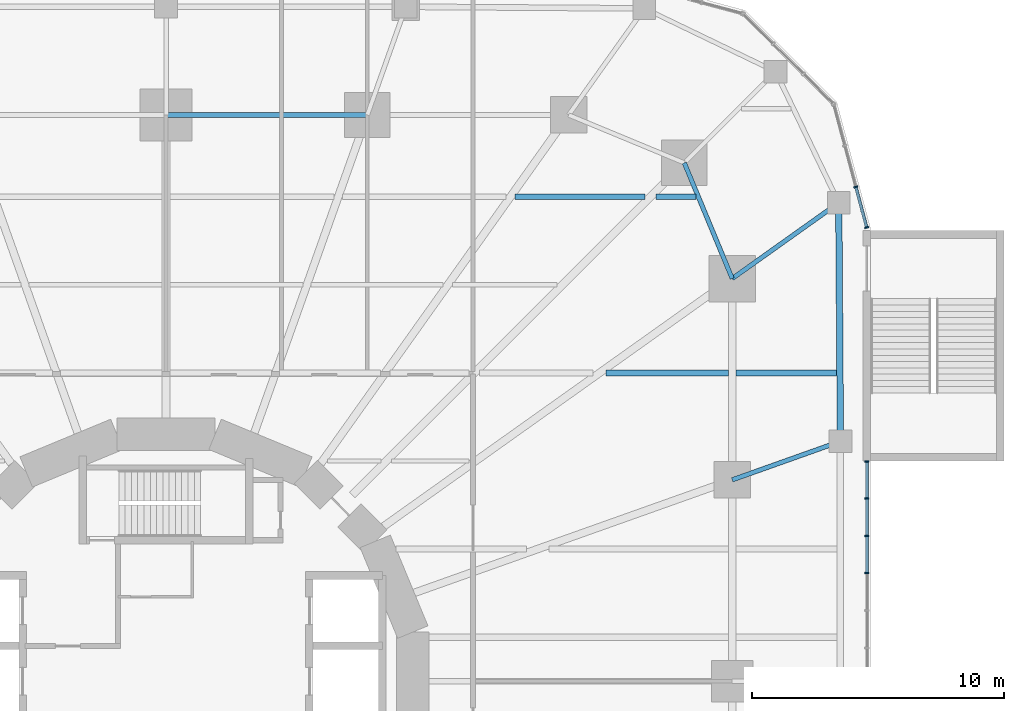
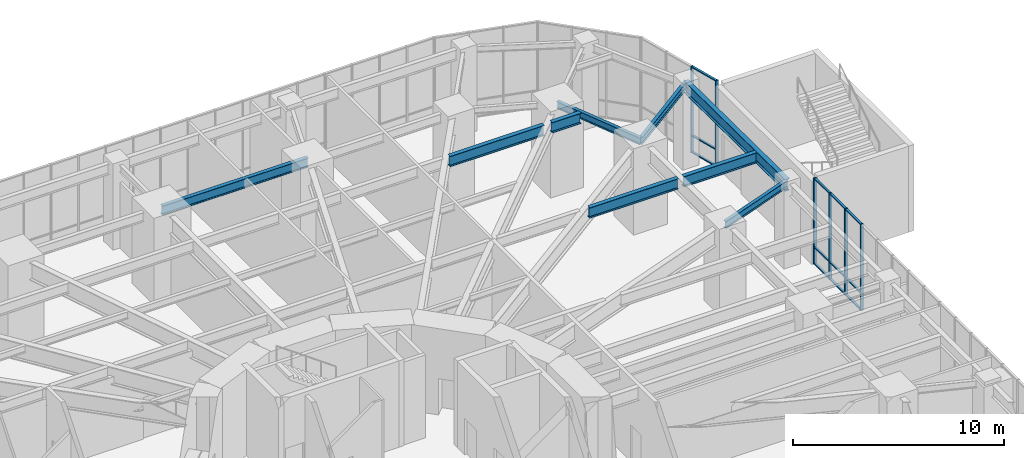
# One storey, part 13 of 24: 18 members, 9 beams, 2 elements without a shape of their own.
"""IFC4 building model written with IfcOpenShell, lengths in metres."""

from ifc_helpers import new_model, si_unit, direction, frame, origin, origin_2d, place, context, subcontext, project, spatial, rectangle, i_section, extrude, material, material_profile, profile_set, type_object, element, aggregate, save


model = new_model("IFC4")

# Units and contexts
model_context = context("Model", 3, precision=1e-05, world=origin(), true_north=direction((0.0, 1.0)))
body_context = subcontext(model_context, "Body", "Model", "MODEL_VIEW")
ifc_project = project(units=[si_unit("LENGTHUNIT", "METRE"), si_unit("AREAUNIT", "SQUARE_METRE"), si_unit("VOLUMEUNIT", "CUBIC_METRE"), si_unit("PLANEANGLEUNIT", "RADIAN"), si_unit("MASSUNIT", "GRAM", prefix="KILO")], contexts=[model_context])

# Site, building, storey
site_placement = place(None, origin())
site = spatial("IfcSite", under=ifc_project, at=site_placement, CompositionType="ELEMENT")
building_placement = place(site_placement, origin())
building = spatial("IfcBuilding", under=site, at=building_placement, Name="Nakasero Lantern House", CompositionType="ELEMENT")
storey_placement = place(building_placement, frame((0.0, 0.0, 6.0)))
storey = spatial("IfcBuildingStorey", under=building, at=storey_placement, Name="L01", CompositionType="ELEMENT", Elevation=6.0)

# Beams
ifc_material_1 = material(Name="Steel S355", Category="steel")
ifc_material_profile_1 = material_profile(ifc_material_1, i_section(OverallWidth=0.22900390625, OverallDepth=0.6123046875, WebThickness=0.011962890625, FlangeThickness=0.01953125, FilletRadius=0.0126953125, at=origin_2d()), Name="UB 610x229x125")
ifc_profile_set_1 = profile_set([ifc_material_profile_1], Name="Steel S355")
beam_type_1 = type_object("IfcBeamType", Name="Infill beam UB 610x229x125", PredefinedType="JOIST", material=ifc_profile_set_1)
beam_1_placement = place(storey_placement, frame((17.488037109375, 12.25, 4.493896484375), z_axis=(1.0, 0.0, 0.0), x_axis=(0.0, 1.0, 0.0)))
element("IfcBeam", 1, at=beam_1_placement, inside=storey, type_object=beam_type_1, Name="Infill beam L02 12.11", PredefinedType="JOIST", context=body_context, shape_type="SweptSolid", body=[
    extrude(i_section(OverallWidth=0.22900390625, OverallDepth=0.6123046875, WebThickness=0.011962890625, FlangeThickness=0.01953125, FilletRadius=0.0126953125, at=origin_2d()), origin(), (0.0, 0.0, 1.0), 4.862060546875),
])
beam_2_placement = place(storey_placement, frame((22.64990234375, 12.25, 4.493896484375), z_axis=(1.0, 0.0, 0.0), x_axis=(0.0, 1.0, 0.0)))
element("IfcBeam", 2, at=beam_2_placement, inside=storey, type_object=beam_type_1, Name="Infill beam L02 12.12", PredefinedType="JOIST", context=body_context, shape_type="SweptSolid", body=[
    extrude(i_section(OverallWidth=0.22900390625, OverallDepth=0.6123046875, WebThickness=0.011962890625, FlangeThickness=0.01953125, FilletRadius=0.0126953125, at=origin_2d()), origin(), (0.0, 0.0, 1.0), 4.003173828125),
])
beam_3_placement = place(storey_placement, frame((13.876220703125, 19.25, 4.493896484375), z_axis=(1.0, 0.0, 0.0), x_axis=(0.0, 1.0, 0.0)))
element("IfcBeam", 3, at=beam_3_placement, inside=storey, type_object=beam_type_1, Name="Infill beam L02 14.7", PredefinedType="JOIST", context=body_context, shape_type="SweptSolid", body=[
    extrude(i_section(OverallWidth=0.22900390625, OverallDepth=0.6123046875, WebThickness=0.011962890625, FlangeThickness=0.01953125, FilletRadius=0.0126953125, at=origin_2d()), origin(), (0.0, 0.0, 1.0), 5.15771484375),
])
beam_4_placement = place(storey_placement, frame((19.466064453125, 19.25, 4.493896484375), z_axis=(1.0, 0.0, 0.0), x_axis=(0.0, 1.0, 0.0)))
element("IfcBeam", 4, at=beam_4_placement, inside=storey, type_object=beam_type_1, Name="Infill beam L02 14.8", PredefinedType="JOIST", context=body_context, shape_type="SweptSolid", body=[
    extrude(i_section(OverallWidth=0.22900390625, OverallDepth=0.6123046875, WebThickness=0.011962890625, FlangeThickness=0.01953125, FilletRadius=0.0126953125, at=origin_2d()), origin(), (0.0, 0.0, 1.0), 1.591552734375),
])

# Curtain wall, members
ifc_material_2 = material(Name="Aluminium 6063-T6 and glass", Category="aluminium")
curtain_wall_type = type_object("IfcCurtainWallType", Name="Podium curtain wall CW-2", PredefinedType="USERDEFINED", material=ifc_material_2)
curtain_wall_1_placement = place(storey_placement, origin())
curtain_wall_1 = element("IfcCurtainWall", 5, at=curtain_wall_1_placement, inside=storey, type_object=curtain_wall_type, Name="Curtain wall CW-2 L01", ObjectType="STICK CURTAIN WALL", PredefinedType="USERDEFINED")
ifc_material_3 = material(Name="Aluminium 6063-T6", Category="aluminium")
ifc_material_profile_2 = material_profile(ifc_material_3, rectangle(XDim=0.06005859375, YDim=0.159912109375, at=origin_2d()), Name="CW-2 mullion 60x160")
ifc_profile_set_2 = profile_set([ifc_material_profile_2], Name="Aluminium 6063-T6")
member_type_1 = type_object("IfcMemberType", Name="Mullion CW-2", PredefinedType="MULLION", material=ifc_profile_set_2)
member_1_placement = place(storey_placement, frame((27.85009765625, 4.291748046875, 0.0), z_axis=(0.0, 0.0, 1.0), x_axis=(0.0, 1.0, 0.0)))
member_1 = element("IfcMember", 6, at=member_1_placement, type_object=member_type_1, Name="CW-2 mullion 16", PredefinedType="MULLION", context=body_context, shape_type="SweptSolid", body=[
    extrude(rectangle(XDim=0.06005859375, YDim=0.159912109375, at=origin_2d()), origin(), (0.0, 0.0, 1.0), 5.0),
])
member_2_placement = place(storey_placement, frame((27.85009765625, 5.77783203125, 0.0), z_axis=(0.0, 0.0, 1.0), x_axis=(0.0, 1.0, 0.0)))
member_2 = element("IfcMember", 7, at=member_2_placement, type_object=member_type_1, Name="CW-2 mullion 17", PredefinedType="MULLION", context=body_context, shape_type="SweptSolid", body=[
    extrude(rectangle(XDim=0.06005859375, YDim=0.159912109375, at=origin_2d()), origin(), (0.0, 0.0, 1.0), 5.0),
])
member_3_placement = place(storey_placement, frame((27.85009765625, 7.263916015625, 0.0), z_axis=(0.0, 0.0, 1.0), x_axis=(0.0, 1.0, 0.0)))
member_3 = element("IfcMember", 8, at=member_3_placement, type_object=member_type_1, Name="CW-2 mullion 18", PredefinedType="MULLION", context=body_context, shape_type="SweptSolid", body=[
    extrude(rectangle(XDim=0.06005859375, YDim=0.159912109375, at=origin_2d()), origin(), (0.0, 0.0, 1.0), 5.0),
])
member_4_placement = place(storey_placement, frame((27.85009765625, 8.719970703125, 0.0), z_axis=(0.0, 0.0, 1.0), x_axis=(0.0, 1.0, 0.0)))
member_4 = element("IfcMember", 9, at=member_4_placement, type_object=member_type_1, Name="CW-2 mullion 19", PredefinedType="MULLION", context=body_context, shape_type="SweptSolid", body=[
    extrude(rectangle(XDim=0.06005859375, YDim=0.159912109375, at=origin_2d()), origin(), (0.0, 0.0, 1.0), 5.0),
])

curtain_wall_2_placement = place(storey_placement, origin())
curtain_wall_2 = element("IfcCurtainWall", 10, at=curtain_wall_2_placement, inside=storey, type_object=curtain_wall_type, Name="Curtain wall CW-2 L01", ObjectType="STICK CURTAIN WALL", PredefinedType="USERDEFINED")
member_5_placement = place(storey_placement, frame((27.84228515625, 18.029052734375, 0.0), z_axis=(0.0, 0.0, 1.0), x_axis=(-0.258819045103, 0.965925826289, 0.0)))
member_5 = element("IfcMember", 11, at=member_5_placement, type_object=member_type_1, Name="CW-2 mullion 1", PredefinedType="MULLION", context=body_context, shape_type="SweptSolid", body=[
    extrude(rectangle(XDim=0.06005859375, YDim=0.159912109375, at=origin_2d()), origin(), (0.0, 0.0, 1.0), 5.0),
])
member_6_placement = place(storey_placement, frame((27.41015625, 19.6416015625, 0.0), z_axis=(0.0, 0.0, 1.0), x_axis=(-0.258819045103, 0.965925826289, 0.0)))
member_6 = element("IfcMember", 12, at=member_6_placement, type_object=member_type_1, Name="CW-2 mullion 2", PredefinedType="MULLION", context=body_context, shape_type="SweptSolid", body=[
    extrude(rectangle(XDim=0.06005859375, YDim=0.159912109375, at=origin_2d()), origin(), (0.0, 0.0, 1.0), 5.0),
])

# Beams
ifc_material_4 = material(Name="Steel S355", Category="steel")
ifc_material_profile_3 = material_profile(ifc_material_4, i_section(OverallWidth=0.179443359375, OverallDepth=0.412841796875, WebThickness=0.009521484375, FlangeThickness=0.01611328125, FilletRadius=0.01025390625, at=origin_2d()), Name="UB 406x178x74")
ifc_profile_set_3 = profile_set([ifc_material_profile_3], Name="Steel S355")
beam_type_2 = type_object("IfcBeamType", Name="Primary beam UB 406x178x74, span to 6 m", PredefinedType="BEAM", material=ifc_profile_set_3)
beam_5_placement = place(storey_placement, frame((26.800048828125, 9.52880859375, 4.593505859375), z_axis=(-0.942221444489, -0.334990670833, 0.0), x_axis=(0.334990670833, -0.942221444489, 0.0)))
element("IfcBeam", 13, at=beam_5_placement, inside=storey, type_object=beam_type_2, Name="Primary beam L02 POD-C04", PredefinedType="BEAM", context=body_context, shape_type="SweptSolid", body=[
    extrude(i_section(OverallWidth=0.179443359375, OverallDepth=0.412841796875, WebThickness=0.009521484375, FlangeThickness=0.01611328125, FilletRadius=0.01025390625, at=origin_2d()), origin(), (0.0, 0.0, 1.0), 4.563720703125),
])
beam_6_placement = place(storey_placement, frame((26.733642578125, 19.0107421875, 4.593505859375), z_axis=(-0.814941514044, -0.57954320692, 0.0), x_axis=(0.57954320692, -0.814941514044, 0.0)))
element("IfcBeam", 14, at=beam_6_placement, inside=storey, type_object=beam_type_2, Name="Primary beam L02 POD-C05", PredefinedType="BEAM", context=body_context, shape_type="SweptSolid", body=[
    extrude(i_section(OverallWidth=0.179443359375, OverallDepth=0.412841796875, WebThickness=0.009521484375, FlangeThickness=0.01611328125, FilletRadius=0.01025390625, at=origin_2d()), origin(), (0.0, 0.0, 1.0), 5.195068359375),
])
ifc_material_5 = material(Name="Steel S355", Category="steel")
ifc_material_profile_4 = material_profile(ifc_material_5, i_section(OverallWidth=0.177978515625, OverallDepth=0.406494140625, WebThickness=0.0078125, FlangeThickness=0.0126953125, FilletRadius=0.01025390625, at=origin_2d()), Name="UB 406x178x60")
ifc_profile_set_4 = profile_set([ifc_material_profile_4], Name="Steel S355")
beam_type_3 = type_object("IfcBeamType", Name="Ring beam UB 406x178x60", PredefinedType="BEAM", material=ifc_profile_set_4)
beam_7_placement = place(storey_placement, frame((22.5, 16.0, 4.5966796875), z_axis=(-0.382684080569, 0.923879264016, 0.0), x_axis=(-0.923879264016, -0.382684080569, 0.0)))
element("IfcBeam", 15, at=beam_7_placement, inside=storey, type_object=beam_type_3, Name="Ring beam L02 B1-C05", PredefinedType="BEAM", context=body_context, shape_type="SweptSolid", body=[
    extrude(i_section(OverallWidth=0.177978515625, OverallDepth=0.406494140625, WebThickness=0.0078125, FlangeThickness=0.0126953125, FilletRadius=0.01025390625, at=origin_2d()), origin(), (0.0, 0.0, 1.0), 4.974853515625),
])
ifc_material_6 = material(Name="Steel S355", Category="steel")
ifc_material_profile_5 = material_profile(ifc_material_6, i_section(OverallWidth=0.2099609375, OverallDepth=0.53662109375, WebThickness=0.0107421875, FlangeThickness=0.017333984375, FilletRadius=0.0126953125, at=origin_2d()), Name="UB 533x210x101")
ifc_profile_set_5 = profile_set([ifc_material_profile_5], Name="Steel S355")
beam_type_4 = type_object("IfcBeamType", Name="Ring beam UB 533x210x101", PredefinedType="BEAM", material=ifc_profile_set_5)
beam_8_placement = place(storey_placement, frame((8.0, 22.5, 4.53173828125), z_axis=(-1.0, 0.0, 0.0), x_axis=(0.0, -1.0, 0.0)))
element("IfcBeam", 16, at=beam_8_placement, inside=storey, type_object=beam_type_4, Name="Ring beam L02 B1-C08", PredefinedType="BEAM", context=body_context, shape_type="SweptSolid", body=[
    extrude(i_section(OverallWidth=0.2099609375, OverallDepth=0.53662109375, WebThickness=0.0107421875, FlangeThickness=0.017333984375, FilletRadius=0.0126953125, at=origin_2d()), origin(), (0.0, 0.0, 1.0), 8.0),
])
ifc_material_7 = material(Name="Steel S355", Category="steel")
ifc_material_profile_6 = material_profile(ifc_material_7, i_section(OverallWidth=0.255859375, OverallDepth=0.69287109375, WebThickness=0.014404296875, FlangeThickness=0.023681640625, FilletRadius=0.01513671875, at=origin_2d()), Name="UB 686x254x170")
ifc_profile_set_6 = profile_set([ifc_material_profile_6], Name="Steel S355")
beam_type_5 = type_object("IfcBeamType", Name="Ring beam UB 686x254x170", PredefinedType="BEAM", material=ifc_profile_set_6)
beam_9_placement = place(storey_placement, frame((26.800048828125, 9.52880859375, 4.45361328125), z_axis=(-0.007003278482, 0.999975476745, 0.0), x_axis=(-0.999975476745, -0.007003278482, 0.0)))
element("IfcBeam", 17, at=beam_9_placement, inside=storey, type_object=beam_type_5, Name="Ring beam L02 POD-C04", PredefinedType="BEAM", context=body_context, shape_type="SweptSolid", body=[
    extrude(i_section(OverallWidth=0.255859375, OverallDepth=0.69287109375, WebThickness=0.014404296875, FlangeThickness=0.023681640625, FilletRadius=0.01513671875, at=origin_2d()), origin(), (0.0, 0.0, 1.0), 9.482177734375),
])

# Member
ifc_material_8 = material(Name="Aluminium 6063-T6", Category="aluminium")
ifc_material_profile_7 = material_profile(ifc_material_8, rectangle(XDim=0.06005859375, YDim=0.1201171875, at=origin_2d()), Name="CW-2 transom 60x120")
ifc_profile_set_7 = profile_set([ifc_material_profile_7], Name="Aluminium 6063-T6")
member_type_2 = type_object("IfcMemberType", Name="Transom CW-2", PredefinedType="USERDEFINED", material=ifc_profile_set_7)
member_7_placement = place(storey_placement, frame((27.85009765625, 4.32177734375, 0.030029296875), z_axis=(0.0, 1.0, 0.0), x_axis=(0.0, 0.0, 1.0)))
member_7 = element("IfcMember", 18, at=member_7_placement, type_object=member_type_2, Name="CW-2 transom 16.1", ObjectType="TRANSOM", PredefinedType="USERDEFINED", context=body_context, shape_type="SweptSolid", body=[
    extrude(rectangle(XDim=0.06005859375, YDim=0.1201171875, at=origin_2d()), origin(), (0.0, 0.0, 1.0), 1.426025390625),
])

member_8_placement = place(storey_placement, frame((27.85009765625, 4.32177734375, 1.0), z_axis=(0.0, 1.0, 0.0), x_axis=(0.0, 0.0, 1.0)))
member_8 = element("IfcMember", 19, at=member_8_placement, type_object=member_type_2, Name="CW-2 transom 16.2", ObjectType="TRANSOM", PredefinedType="USERDEFINED", context=body_context, shape_type="SweptSolid", body=[
    extrude(rectangle(XDim=0.06005859375, YDim=0.1201171875, at=origin_2d()), origin(), (0.0, 0.0, 1.0), 1.426025390625),
])

member_9_placement = place(storey_placement, frame((27.85009765625, 4.32177734375, 4.969970703125), z_axis=(0.0, 1.0, 0.0), x_axis=(0.0, 0.0, 1.0)))
member_9 = element("IfcMember", 20, at=member_9_placement, type_object=member_type_2, Name="CW-2 transom 16.3", ObjectType="TRANSOM", PredefinedType="USERDEFINED", context=body_context, shape_type="SweptSolid", body=[
    extrude(rectangle(XDim=0.06005859375, YDim=0.1201171875, at=origin_2d()), origin(), (0.0, 0.0, 1.0), 1.426025390625),
])

member_10_placement = place(storey_placement, frame((27.85009765625, 5.807861328125, 0.030029296875), z_axis=(0.0, 1.0, 0.0), x_axis=(0.0, 0.0, 1.0)))
member_10 = element("IfcMember", 21, at=member_10_placement, type_object=member_type_2, Name="CW-2 transom 17.1", ObjectType="TRANSOM", PredefinedType="USERDEFINED", context=body_context, shape_type="SweptSolid", body=[
    extrude(rectangle(XDim=0.06005859375, YDim=0.1201171875, at=origin_2d()), origin(), (0.0, 0.0, 1.0), 1.426025390625),
])

member_11_placement = place(storey_placement, frame((27.85009765625, 5.807861328125, 1.0), z_axis=(0.0, 1.0, 0.0), x_axis=(0.0, 0.0, 1.0)))
member_11 = element("IfcMember", 22, at=member_11_placement, type_object=member_type_2, Name="CW-2 transom 17.2", ObjectType="TRANSOM", PredefinedType="USERDEFINED", context=body_context, shape_type="SweptSolid", body=[
    extrude(rectangle(XDim=0.06005859375, YDim=0.1201171875, at=origin_2d()), origin(), (0.0, 0.0, 1.0), 1.426025390625),
])

member_12_placement = place(storey_placement, frame((27.85009765625, 5.807861328125, 4.969970703125), z_axis=(0.0, 1.0, 0.0), x_axis=(0.0, 0.0, 1.0)))
member_12 = element("IfcMember", 23, at=member_12_placement, type_object=member_type_2, Name="CW-2 transom 17.3", ObjectType="TRANSOM", PredefinedType="USERDEFINED", context=body_context, shape_type="SweptSolid", body=[
    extrude(rectangle(XDim=0.06005859375, YDim=0.1201171875, at=origin_2d()), origin(), (0.0, 0.0, 1.0), 1.426025390625),
])

member_13_placement = place(storey_placement, frame((27.85009765625, 7.2939453125, 0.030029296875), z_axis=(0.0, 1.0, 0.0), x_axis=(0.0, 0.0, 1.0)))
member_13 = element("IfcMember", 24, at=member_13_placement, type_object=member_type_2, Name="CW-2 transom 18.1", ObjectType="TRANSOM", PredefinedType="USERDEFINED", context=body_context, shape_type="SweptSolid", body=[
    extrude(rectangle(XDim=0.06005859375, YDim=0.1201171875, at=origin_2d()), origin(), (0.0, 0.0, 1.0), 1.39599609375),
])

member_14_placement = place(storey_placement, frame((27.85009765625, 7.2939453125, 1.0), z_axis=(0.0, 1.0, 0.0), x_axis=(0.0, 0.0, 1.0)))
member_14 = element("IfcMember", 25, at=member_14_placement, type_object=member_type_2, Name="CW-2 transom 18.2", ObjectType="TRANSOM", PredefinedType="USERDEFINED", context=body_context, shape_type="SweptSolid", body=[
    extrude(rectangle(XDim=0.06005859375, YDim=0.1201171875, at=origin_2d()), origin(), (0.0, 0.0, 1.0), 1.39599609375),
])

member_15_placement = place(storey_placement, frame((27.85009765625, 7.2939453125, 4.969970703125), z_axis=(0.0, 1.0, 0.0), x_axis=(0.0, 0.0, 1.0)))
member_15 = element("IfcMember", 26, at=member_15_placement, type_object=member_type_2, Name="CW-2 transom 18.3", ObjectType="TRANSOM", PredefinedType="USERDEFINED", context=body_context, shape_type="SweptSolid", body=[
    extrude(rectangle(XDim=0.06005859375, YDim=0.1201171875, at=origin_2d()), origin(), (0.0, 0.0, 1.0), 1.39599609375),
])

aggregate(curtain_wall_1, [member_1, member_2, member_3, member_4, member_7, member_8, member_9, member_10, member_11, member_12, member_13, member_14, member_15])

member_16_placement = place(storey_placement, frame((27.83447265625, 18.057861328125, 0.030029296875), z_axis=(-0.258738612203, 0.96594737463, 0.0), x_axis=(0.0, 0.0, 1.0)))
member_16 = element("IfcMember", 27, at=member_16_placement, type_object=member_type_2, Name="CW-2 transom 1.1", ObjectType="TRANSOM", PredefinedType="USERDEFINED", context=body_context, shape_type="SweptSolid", body=[
    extrude(rectangle(XDim=0.06005859375, YDim=0.1201171875, at=origin_2d()), origin(), (0.0, 0.0, 1.0), 1.60986328125),
])

member_17_placement = place(storey_placement, frame((27.83447265625, 18.057861328125, 1.0), z_axis=(-0.258738612203, 0.96594737463, 0.0), x_axis=(0.0, 0.0, 1.0)))
member_17 = element("IfcMember", 28, at=member_17_placement, type_object=member_type_2, Name="CW-2 transom 1.2", ObjectType="TRANSOM", PredefinedType="USERDEFINED", context=body_context, shape_type="SweptSolid", body=[
    extrude(rectangle(XDim=0.06005859375, YDim=0.1201171875, at=origin_2d()), origin(), (0.0, 0.0, 1.0), 1.60986328125),
])

member_18_placement = place(storey_placement, frame((27.83447265625, 18.057861328125, 4.969970703125), z_axis=(-0.258738612203, 0.96594737463, 0.0), x_axis=(0.0, 0.0, 1.0)))
member_18 = element("IfcMember", 29, at=member_18_placement, type_object=member_type_2, Name="CW-2 transom 1.3", ObjectType="TRANSOM", PredefinedType="USERDEFINED", context=body_context, shape_type="SweptSolid", body=[
    extrude(rectangle(XDim=0.06005859375, YDim=0.1201171875, at=origin_2d()), origin(), (0.0, 0.0, 1.0), 1.60986328125),
])

aggregate(curtain_wall_2, [member_5, member_6, member_16, member_17, member_18])

save(model, "model.ifc")
